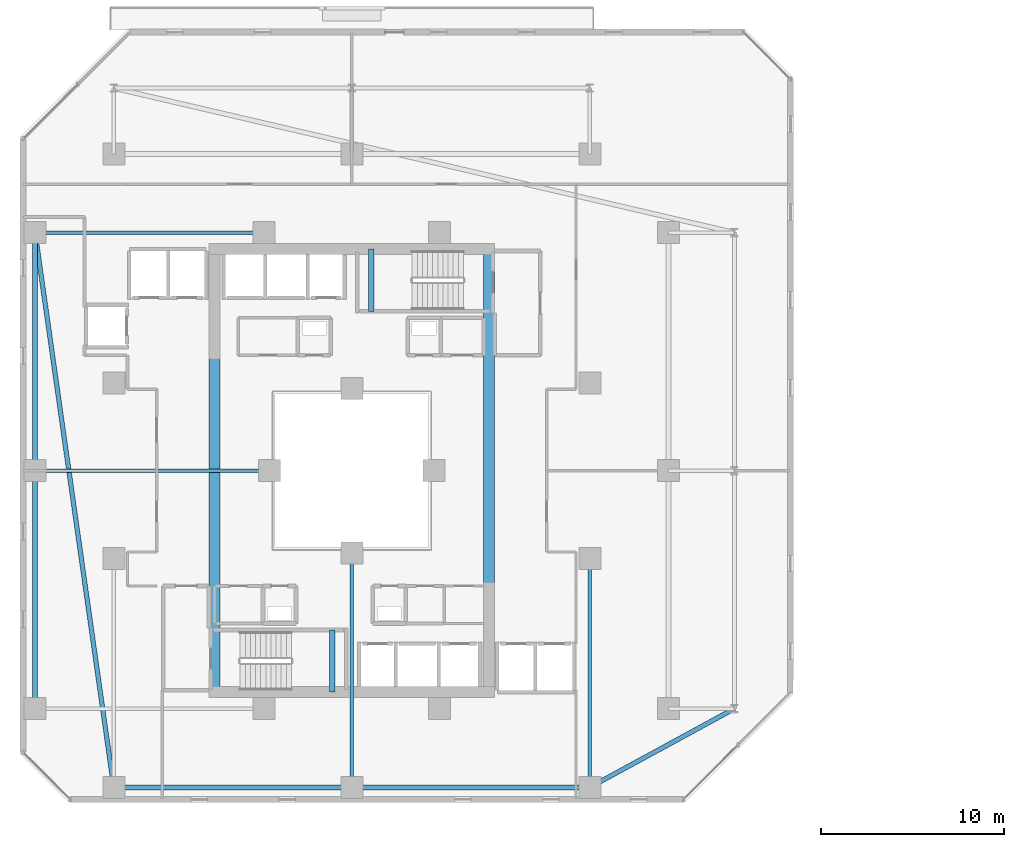
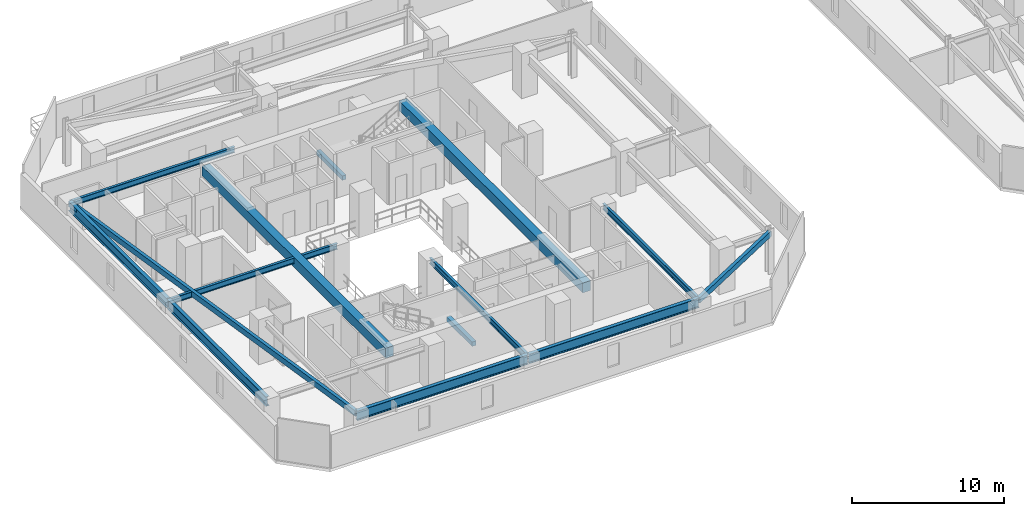
# One storey, part 4 of 30: 14 beams.
"""IFC4 building model written with IfcOpenShell, lengths in metres."""

from ifc_helpers import new_model, si_unit, direction, frame, origin, origin_2d, place, context, subcontext, project, spatial, rectangle, hollow_rectangle, i_section, extrude, material, material_profile, profile_set, type_object, element, save


model = new_model("IFC4")

# Units and contexts
model_context = context("Model", 3, precision=1e-05, world=origin(), true_north=direction((0.0, 1.0)))
body_context = subcontext(model_context, "Body", "Model", "MODEL_VIEW")
ifc_project = project(units=[si_unit("LENGTHUNIT", "METRE"), si_unit("AREAUNIT", "SQUARE_METRE"), si_unit("VOLUMEUNIT", "CUBIC_METRE"), si_unit("PLANEANGLEUNIT", "RADIAN"), si_unit("MASSUNIT", "GRAM", prefix="KILO")], contexts=[model_context])

# Site, building, storey
site_placement = place(None, origin())
site = spatial("IfcSite", under=ifc_project, at=site_placement, CompositionType="ELEMENT")
building_placement = place(site_placement, origin())
building = spatial("IfcBuilding", under=site, at=building_placement, Name="Thornwick Lancets Civic Towers", CompositionType="ELEMENT")
storey_placement = place(building_placement, frame((0.0, 0.0, 80.10009765625)))
storey = spatial("IfcBuildingStorey", under=building, at=storey_placement, Name="L20", CompositionType="ELEMENT", Elevation=80.10009765625)

# Beams
ifc_material_1 = material(Name="Concrete C60/75", Category="concrete")
ifc_material_profile_1 = material_profile(ifc_material_1, rectangle(XDim=0.60009765625, YDim=0.800048828125, at=origin_2d()), Name="RC 600x800")
ifc_profile_set_1 = profile_set([ifc_material_profile_1], Name="Concrete C60/75")
beam_type_1 = type_object("IfcBeamType", Name="BM_COUP_RC800", PredefinedType="BEAM", material=ifc_profile_set_1)
for number, where, z_axis, x_axis, name in (
    (1, (33.0, 14.89990234375, 2.9599609375), (0.0, 1.0, 0.0), (-1.0, 0.0, 0.0), "CB-L20-A1"),
    (2, (18.0, 14.89990234375, 2.9599609375), (0.0, 1.0, 0.0), (-1.0, 0.0, 0.0), "CB-L20-A2"),
):
    element("IfcBeam", number, at=place(storey_placement, frame(where, z_axis=z_axis, x_axis=x_axis)), inside=storey, type_object=beam_type_1, Name=name, PredefinedType="BEAM", context=body_context, shape_type="SweptSolid", body=[
        extrude(rectangle(XDim=0.60009765625, YDim=0.800048828125, at=origin_2d()), origin(), (0.0, 0.0, 1.0), 24.2001953125),
    ])
ifc_material_2 = material(Name="Steel S355JR", Category="steel")
ifc_material_profile_2 = material_profile(ifc_material_2, i_section(OverallWidth=0.26806640625, OverallDepth=0.769775390625, WebThickness=0.015625, FlangeThickness=0.025390625, FilletRadius=0.0166015625, at=origin_2d()), Name="UKB 762x267x197")
ifc_profile_set_2 = profile_set([ifc_material_profile_2], Name="Steel S355JR")
beam_type_2 = type_object("IfcBeamType", Name="BM_GIRD_762_197", PredefinedType="BEAM", material=ifc_profile_set_2)
beam_1_placement = place(storey_placement, frame((12.5, 9.699951171875, 2.97509765625), z_axis=(1.0, 0.0, 0.0), x_axis=(0.0, 1.0, 0.0)))
element("IfcBeam", 3, at=beam_1_placement, inside=storey, type_object=beam_type_2, Name="BM-SPINE-L20-A-0-1", PredefinedType="BEAM", context=body_context, shape_type="SweptSolid", body=[
    extrude(i_section(OverallWidth=0.26806640625, OverallDepth=0.769775390625, WebThickness=0.015625, FlangeThickness=0.025390625, FilletRadius=0.0166015625, at=origin_2d()), origin(), (0.0, 0.0, 1.0), 13.0),
])
beam_2_placement = place(storey_placement, frame((25.580078125, 9.699951171875, 2.97509765625), z_axis=(1.0, 0.0, 0.0), x_axis=(0.0, 1.0, 0.0)))
element("IfcBeam", 4, at=beam_2_placement, inside=storey, type_object=beam_type_2, Name="BM-SPINE-L20-A-1-2", PredefinedType="BEAM", context=body_context, shape_type="SweptSolid", body=[
    extrude(i_section(OverallWidth=0.26806640625, OverallDepth=0.769775390625, WebThickness=0.015625, FlangeThickness=0.025390625, FilletRadius=0.0166015625, at=origin_2d()), origin(), (0.0, 0.0, 1.0), 12.919921875),
])
beam_3_placement = place(storey_placement, frame((8.199951171875, 14.0, 2.97509765625), z_axis=(0.0, 1.0, 0.0), x_axis=(-1.0, 0.0, 0.0)))
element("IfcBeam", 5, at=beam_3_placement, inside=storey, type_object=beam_type_2, Name="BM-SPINE-L20-A-9-10", PredefinedType="BEAM", context=body_context, shape_type="SweptSolid", body=[
    extrude(i_section(OverallWidth=0.26806640625, OverallDepth=0.769775390625, WebThickness=0.015625, FlangeThickness=0.025390625, FilletRadius=0.0166015625, at=origin_2d()), origin(), (0.0, 0.0, 1.0), 13.0),
])
beam_4_placement = place(storey_placement, frame((8.199951171875, 27.080078125, 2.97509765625), z_axis=(0.0, 1.0, 0.0), x_axis=(-1.0, 0.0, 0.0)))
element("IfcBeam", 6, at=beam_4_placement, inside=storey, type_object=beam_type_2, Name="BM-SPINE-L20-A-10-11", PredefinedType="BEAM", context=body_context, shape_type="SweptSolid", body=[
    extrude(i_section(OverallWidth=0.26806640625, OverallDepth=0.769775390625, WebThickness=0.015625, FlangeThickness=0.025390625, FilletRadius=0.0166015625, at=origin_2d()), origin(), (0.0, 0.0, 1.0), 12.919921875),
])
ifc_material_profile_3 = material_profile(ifc_material_2, i_section(OverallWidth=0.19189453125, OverallDepth=0.46337890625, WebThickness=0.010498046875, FlangeThickness=0.017578125, FilletRadius=0.01025390625, at=origin_2d()), Name="UKB 457x191x89")
ifc_profile_set_3 = profile_set([ifc_material_profile_3], Name="Steel S355JR")
beam_type_3 = type_object("IfcBeamType", Name="BM_JOIST_457_89", PredefinedType="JOIST", material=ifc_profile_set_3)
beam_5_placement = place(storey_placement, frame((25.5, 22.5, 3.128173828125), z_axis=(0.0, -1.0, 0.0), x_axis=(1.0, 0.0, 0.0)))
element("IfcBeam", 7, at=beam_5_placement, inside=storey, type_object=beam_type_3, Name="BM-RADIN-L20-A02", PredefinedType="JOIST", context=body_context, shape_type="SweptSolid", body=[
    extrude(i_section(OverallWidth=0.19189453125, OverallDepth=0.46337890625, WebThickness=0.010498046875, FlangeThickness=0.017578125, FilletRadius=0.01025390625, at=origin_2d()), origin(), (0.0, 0.0, 1.0), 12.800048828125),
])
beam_6_placement = place(storey_placement, frame((38.5, 22.199951171875, 3.128173828125), z_axis=(0.0, -1.0, 0.0), x_axis=(1.0, 0.0, 0.0)))
element("IfcBeam", 8, at=beam_6_placement, inside=storey, type_object=beam_type_3, Name="BM-RADIN-L20-A03", PredefinedType="JOIST", context=body_context, shape_type="SweptSolid", body=[
    extrude(i_section(OverallWidth=0.19189453125, OverallDepth=0.46337890625, WebThickness=0.010498046875, FlangeThickness=0.017578125, FilletRadius=0.01025390625, at=origin_2d()), origin(), (0.0, 0.0, 1.0), 12.5),
])
beam_7_placement = place(storey_placement, frame((21.0, 27.0, 3.128173828125), z_axis=(-1.0, 0.0, 0.0), x_axis=(0.0, -1.0, 0.0)))
element("IfcBeam", 9, at=beam_7_placement, inside=storey, type_object=beam_type_3, Name="BM-RADIN-L20-A11", PredefinedType="JOIST", context=body_context, shape_type="SweptSolid", body=[
    extrude(i_section(OverallWidth=0.19189453125, OverallDepth=0.46337890625, WebThickness=0.010498046875, FlangeThickness=0.017578125, FilletRadius=0.01025390625, at=origin_2d()), origin(), (0.0, 0.0, 1.0), 12.800048828125),
])
beam_8_placement = place(storey_placement, frame((20.699951171875, 40.0, 3.128173828125), z_axis=(-1.0, 0.0, 0.0), x_axis=(0.0, -1.0, 0.0)))
element("IfcBeam", 10, at=beam_8_placement, inside=storey, type_object=beam_type_3, Name="BM-RADIN-L20-A12", PredefinedType="JOIST", context=body_context, shape_type="SweptSolid", body=[
    extrude(i_section(OverallWidth=0.19189453125, OverallDepth=0.46337890625, WebThickness=0.010498046875, FlangeThickness=0.017578125, FilletRadius=0.01025390625, at=origin_2d()), origin(), (0.0, 0.0, 1.0), 12.5),
])
ifc_material_profile_4 = material_profile(ifc_material_2, hollow_rectangle(XDim=0.25, YDim=0.449951171875, WallThickness=0.01611328125, at=origin_2d()), Name="RHS 450x250x16")
ifc_profile_set_4 = profile_set([ifc_material_profile_4], Name="Steel S355JR")
beam_type_4 = type_object("IfcBeamType", Name="BM_RING_RHS450", PredefinedType="BEAM", material=ifc_profile_set_4)
beam_9_placement = place(storey_placement, frame((38.5, 9.699951171875, 3.135009765625), z_axis=(0.878315357038, 0.478081722712, 0.0), x_axis=(-0.478081722712, 0.878315357038, 0.0)))
element("IfcBeam", 11, at=beam_9_placement, inside=storey, type_object=beam_type_4, Name="BM-CHAMF-L20-A-C0", PredefinedType="BEAM", context=body_context, shape_type="SweptSolid", body=[
    extrude(hollow_rectangle(XDim=0.25, YDim=0.449951171875, WallThickness=0.01611328125, at=origin_2d()), origin(), (0.0, 0.0, 1.0), 8.994384765625),
])
beam_10_placement = place(storey_placement, frame((8.199951171875, 40.0, 3.135009765625), z_axis=(0.140507712682, -0.990079584012, 0.0), x_axis=(0.990079584012, 0.140507712682, 0.0)))
element("IfcBeam", 12, at=beam_10_placement, inside=storey, type_object=beam_type_4, Name="BM-CHAMF-L20-A-C3", PredefinedType="BEAM", context=body_context, shape_type="SweptSolid", body=[
    extrude(hollow_rectangle(XDim=0.25, YDim=0.449951171875, WallThickness=0.01611328125, at=origin_2d()), origin(), (0.0, 0.0, 1.0), 30.603759765625),
])
ifc_material_3 = material(Name="Concrete C40/50", Category="concrete")
ifc_material_profile_5 = material_profile(ifc_material_3, rectangle(XDim=0.300048828125, YDim=0.35009765625, at=origin_2d()), Name="RC 300x350")
ifc_profile_set_5 = profile_set([ifc_material_profile_5], Name="Concrete C40/50")
beam_type_5 = type_object("IfcBeamType", Name="BM_STAIR_LDG", PredefinedType="BEAM", material=ifc_profile_set_5)
for number, where, z_axis, x_axis, name in (
    (13, (24.43505859375, 14.89990234375, 1.3779296875), (0.0, 1.0, 0.0), (-1.0, 0.0, 0.0), "L20 ST-A1 Landing Support Beam 1"),
    (14, (26.56494140625, 39.10009765625, 1.3779296875), (0.0, -1.0, 0.0), (1.0, 0.0, 0.0), "L20 ST-A2 Landing Support Beam 1"),
):
    element("IfcBeam", number, at=place(storey_placement, frame(where, z_axis=z_axis, x_axis=x_axis)), inside=storey, type_object=beam_type_5, Name=name, PredefinedType="BEAM", context=body_context, shape_type="SweptSolid", body=[
        extrude(rectangle(XDim=0.300048828125, YDim=0.35009765625, at=origin_2d()), origin(), (0.0, 0.0, 1.0), 3.400146484375),
    ])

save(model, "model.ifc")
